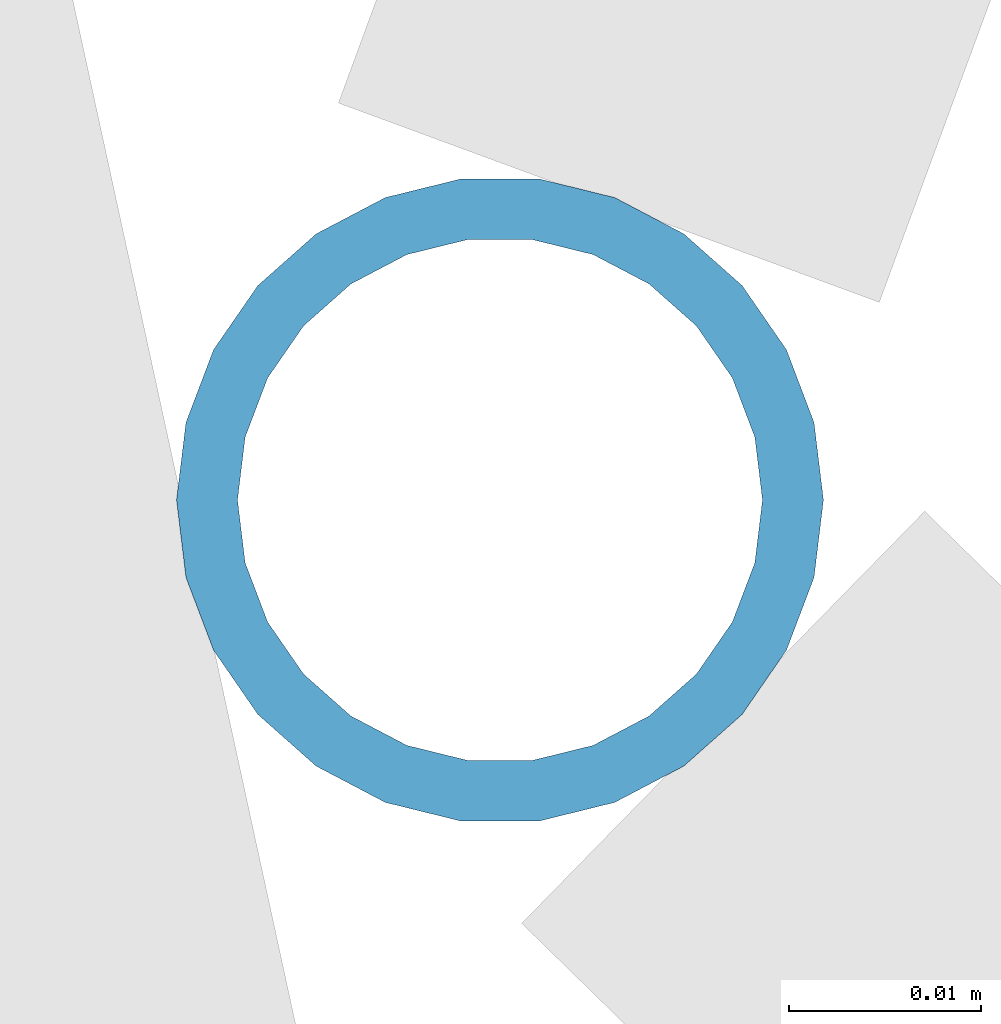
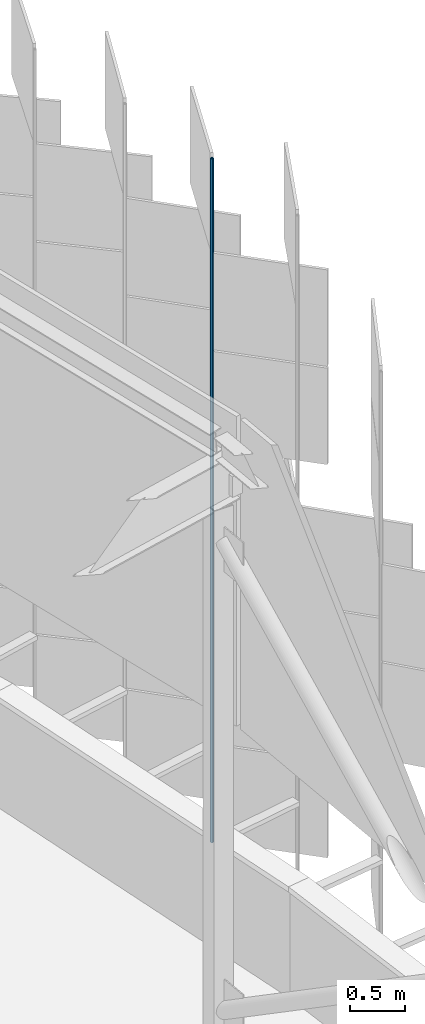
# One storey, part 298 of 483: 1 discrete accessory.
"""IFC4 building model written with IfcOpenShell, lengths in metres."""

from ifc_helpers import new_model, si_unit, direction, frame, origin, origin_2d, place, context, subcontext, project, spatial, hollow_circle, extrude, material, material_profile, profile_set, type_object, element, save


model = new_model("IFC4")

# Units and contexts
model_context = context("Model", 3, precision=1e-05, world=origin(), true_north=direction((0.0, 1.0)))
body_context = subcontext(model_context, "Body", "Model", "MODEL_VIEW")
ifc_project = project(units=[si_unit("LENGTHUNIT", "METRE"), si_unit("AREAUNIT", "SQUARE_METRE"), si_unit("VOLUMEUNIT", "CUBIC_METRE"), si_unit("PLANEANGLEUNIT", "RADIAN"), si_unit("MASSUNIT", "GRAM", prefix="KILO")], contexts=[model_context])

# Site, building, storey
site_placement = place(None, origin())
site = spatial("IfcSite", under=ifc_project, at=site_placement, CompositionType="ELEMENT")
building_placement = place(site_placement, origin())
building = spatial("IfcBuilding", under=site, at=building_placement, Name="Parallax Yard Mobility Hub", CompositionType="ELEMENT")
storey_placement = place(building_placement, frame((0.0, 0.0, 13.199951171875)))
storey = spatial("IfcBuildingStorey", under=building, at=storey_placement, Name="L04", CompositionType="ELEMENT", Elevation=13.199951171875)

# Discrete accessory
ifc_material = material(Name="Steel ASTM A500 Gr C, hot-dip galvanised", Category="steel")
ifc_material_profile = material_profile(ifc_material, hollow_circle(Radius=0.016845703125, WallThickness=0.003173828125, at=origin_2d()), Name="CHS 33.7x3.2")
ifc_profile_set = profile_set([ifc_material_profile], Name="Steel ASTM A500 Gr C, hot-dip galvanised")
discrete_accessory_type = type_object("IfcDiscreteAccessoryType", Name="Hinge post CHS 33.7x3.2", PredefinedType="BRACKET", material=ifc_profile_set)
discrete_accessory_placement = place(storey_placement, frame((224.7373046875, 100.7021484375, 0.0), z_axis=(0.0, 0.0, 1.0), x_axis=(1.0, 0.0, 0.0)))
element("IfcDiscreteAccessory", 1, at=discrete_accessory_placement, inside=storey, type_object=discrete_accessory_type, Name="Hinge post bay 42.3 level L04", PredefinedType="BRACKET", context=body_context, shape_type="SweptSolid", body=[
    extrude(hollow_circle(Radius=0.016845703125, WallThickness=0.003173828125, at=origin_2d()), origin(), (0.0, 0.0, 1.0), 7.650146484375),
])

save(model, "model.ifc")
